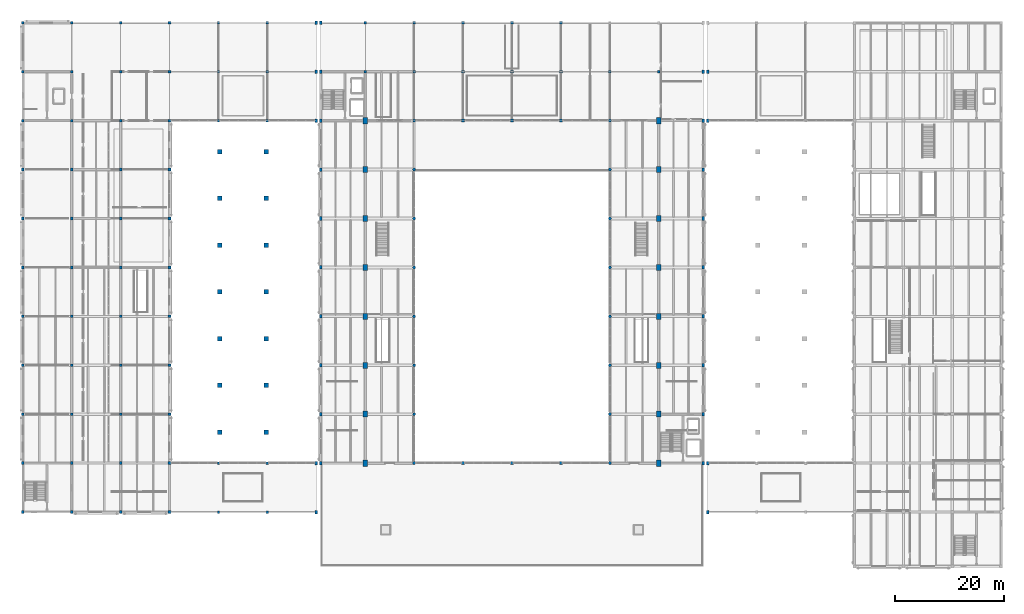
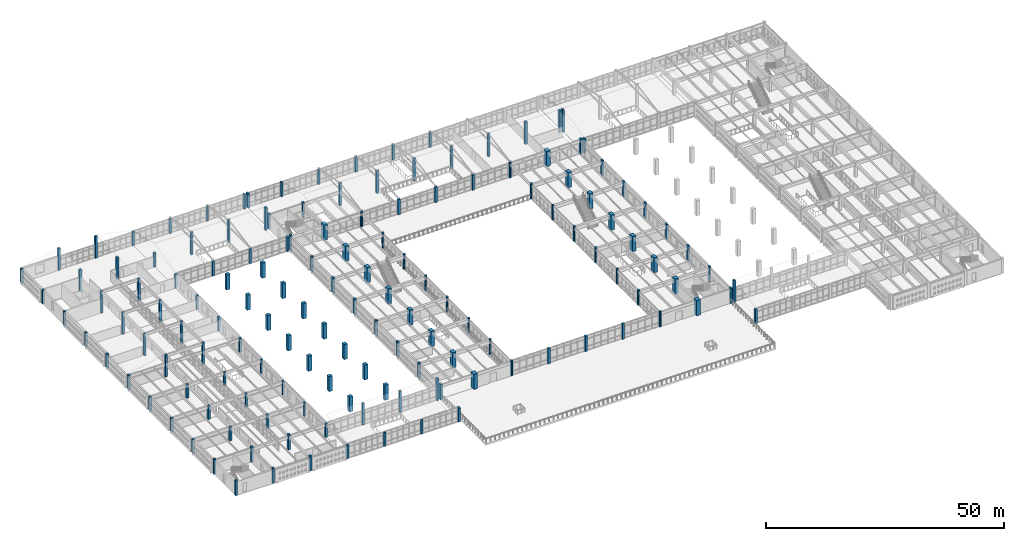
# One storey, part 1 of 156: 146 columns.
"""IFC4 building model written with IfcOpenShell, lengths in metres."""

from ifc_helpers import new_model, si_unit, direction, frame, origin, origin_2d, place, context, subcontext, project, spatial, rectangle, circle, extrude, material, material_profile, profile_set, type_object, element, save


model = new_model("IFC4")

# Units and contexts
model_context = context("Model", 3, precision=1e-05, world=origin(), true_north=direction((0.0, 1.0)))
body_context = subcontext(model_context, "Body", "Model", "MODEL_VIEW")
ifc_project = project(units=[si_unit("LENGTHUNIT", "METRE"), si_unit("AREAUNIT", "SQUARE_METRE"), si_unit("VOLUMEUNIT", "CUBIC_METRE"), si_unit("PLANEANGLEUNIT", "RADIAN"), si_unit("MASSUNIT", "GRAM", prefix="KILO")], contexts=[model_context])

# Site, building, storey
site_placement = place(None, origin())
site = spatial("IfcSite", under=ifc_project, at=site_placement, CompositionType="ELEMENT")
building_placement = place(site_placement, origin())
building = spatial("IfcBuilding", under=site, at=building_placement, Name="Ornek Quay Market", CompositionType="ELEMENT")
storey_placement = place(building_placement, frame((0.0, 0.0, 4.5)))
storey = spatial("IfcBuildingStorey", under=building, at=storey_placement, Name="L01", CompositionType="ELEMENT", Elevation=4.5)

# Columns
ifc_material_1 = material(Name="Concrete C45/55", Category="concrete")
ifc_material_profile_1 = material_profile(ifc_material_1, rectangle(XDim=0.85009765625, YDim=1.10009765625, at=origin_2d()), Name="RC 850x1100", Category="concrete")
ifc_profile_set_1 = profile_set([ifc_material_profile_1], Name="Concrete C45/55")
column_type_1 = type_object("IfcColumnType", Name="COL-ARCH-850x1100", PredefinedType="COLUMN", material=ifc_profile_set_1)
for number, where, z_axis, x_axis, name in (
    (1, (63.0, 38.0, 0.0), (0.0, 0.0, 1.0), (1.0, 0.0, 0.0), "Column C-AR2-002"),
    (2, (63.0, 47.0, 0.0), (0.0, 0.0, 1.0), (1.0, 0.0, 0.0), "Column C-AR2-005"),
    (3, (63.0, 56.0, 0.0), (0.0, 0.0, 1.0), (1.0, 0.0, 0.0), "Column C-AR2-008"),
    (4, (63.0, 65.0, 0.0), (0.0, 0.0, 1.0), (1.0, 0.0, 0.0), "Column C-AR2-011"),
    (5, (63.0, 74.0, 0.0), (0.0, 0.0, 1.0), (1.0, 0.0, 0.0), "Column C-AR2-014"),
    (6, (63.0, 83.0, 0.0), (0.0, 0.0, 1.0), (1.0, 0.0, 0.0), "Column C-AR2-017"),
    (7, (117.0, 38.0, 0.0), (0.0, 0.0, 1.0), (1.0, 0.0, 0.0), "Column C-AR2-020"),
    (8, (117.0, 47.0, 0.0), (0.0, 0.0, 1.0), (1.0, 0.0, 0.0), "Column C-AR2-023"),
    (9, (117.0, 56.0, 0.0), (0.0, 0.0, 1.0), (1.0, 0.0, 0.0), "Column C-AR2-026"),
    (10, (117.0, 65.0, 0.0), (0.0, 0.0, 1.0), (1.0, 0.0, 0.0), "Column C-AR2-029"),
    (11, (117.0, 74.0, 0.0), (0.0, 0.0, 1.0), (1.0, 0.0, 0.0), "Column C-AR2-032"),
    (12, (117.0, 83.0, 0.0), (0.0, 0.0, 1.0), (1.0, 0.0, 0.0), "Column C-AR2-035"),
):
    element("IfcColumn", number, at=place(storey_placement, frame(where, z_axis=z_axis, x_axis=x_axis)), inside=storey, type_object=column_type_1, Name=name, PredefinedType="COLUMN", context=body_context, shape_type="SweptSolid", body=[
        extrude(rectangle(XDim=0.85009765625, YDim=1.10009765625, at=origin_2d()), origin(), (0.0, 0.0, 1.0), 3.89990234375),
    ])
ifc_material_profile_2 = material_profile(ifc_material_1, rectangle(XDim=0.89990234375, YDim=1.199951171875, at=origin_2d()), Name="RC 900x1200", Category="concrete")
ifc_profile_set_2 = profile_set([ifc_material_profile_2], Name="Concrete C45/55")
column_type_2 = type_object("IfcColumnType", Name="COL-ARCH-900x1200", PredefinedType="COLUMN", material=ifc_profile_set_2)
for number, where, z_axis, x_axis, name in (
    (13, (63.0, 29.0, 0.0), (0.0, 0.0, 1.0), (1.0, 0.0, 0.0), "Column C-AR1-003"),
    (14, (63.0, 92.0, 0.0), (0.0, 0.0, 1.0), (1.0, 0.0, 0.0), "Column C-AR1-013"),
    (15, (117.0, 29.0, 0.0), (0.0, 0.0, 1.0), (1.0, 0.0, 0.0), "Column C-AR1-017"),
    (16, (117.0, 92.0, 0.0), (0.0, 0.0, 1.0), (1.0, 0.0, 0.0), "Column C-AR1-027"),
):
    element("IfcColumn", number, at=place(storey_placement, frame(where, z_axis=z_axis, x_axis=x_axis)), inside=storey, type_object=column_type_2, Name=name, PredefinedType="COLUMN", context=body_context, shape_type="SweptSolid", body=[
        extrude(rectangle(XDim=0.89990234375, YDim=1.199951171875, at=origin_2d()), origin(), (0.0, 0.0, 1.0), 3.89990234375),
    ])
ifc_material_2 = material(Name="Concrete C40/50", Category="concrete")
ifc_material_profile_3 = material_profile(ifc_material_2, circle(Radius=0.27490234375, at=origin_2d()), Name="RC D550", Category="concrete")
ifc_profile_set_3 = profile_set([ifc_material_profile_3], Name="Concrete C40/50")
column_type_3 = type_object("IfcColumnType", Name="COL-GAL-D550", PredefinedType="COLUMN", material=ifc_profile_set_3)
for number, where, z_axis, x_axis, name in (
    (17, (72.0, 29.0, 0.0), (0.0, 0.0, 1.0), (1.0, 0.0, 0.0), "Column C-GD1-002"),
    (18, (72.0, 38.0, 0.0), (0.0, 0.0, 1.0), (1.0, 0.0, 0.0), "Column C-GD1-004"),
    (19, (72.0, 47.0, 0.0), (0.0, 0.0, 1.0), (1.0, 0.0, 0.0), "Column C-GD1-006"),
    (20, (72.0, 56.0, 0.0), (0.0, 0.0, 1.0), (1.0, 0.0, 0.0), "Column C-GD1-008"),
    (21, (72.0, 65.0, 0.0), (0.0, 0.0, 1.0), (1.0, 0.0, 0.0), "Column C-GD1-010"),
    (22, (72.0, 74.0, 0.0), (0.0, 0.0, 1.0), (1.0, 0.0, 0.0), "Column C-GD1-012"),
    (23, (72.0, 83.0, 0.0), (0.0, 0.0, 1.0), (1.0, 0.0, 0.0), "Column C-GD1-014"),
    (24, (72.0, 92.0, 0.0), (0.0, 0.0, 1.0), (1.0, 0.0, 0.0), "Column C-GD1-016"),
    (25, (108.0, 29.0, 0.0), (0.0, 0.0, 1.0), (1.0, 0.0, 0.0), "Column C-GD1-018"),
    (26, (108.0, 38.0, 0.0), (0.0, 0.0, 1.0), (1.0, 0.0, 0.0), "Column C-GD1-020"),
    (27, (108.0, 47.0, 0.0), (0.0, 0.0, 1.0), (1.0, 0.0, 0.0), "Column C-GD1-022"),
    (28, (108.0, 56.0, 0.0), (0.0, 0.0, 1.0), (1.0, 0.0, 0.0), "Column C-GD1-024"),
    (29, (108.0, 65.0, 0.0), (0.0, 0.0, 1.0), (1.0, 0.0, 0.0), "Column C-GD1-026"),
    (30, (108.0, 74.0, 0.0), (0.0, 0.0, 1.0), (1.0, 0.0, 0.0), "Column C-GD1-028"),
    (31, (108.0, 83.0, 0.0), (0.0, 0.0, 1.0), (1.0, 0.0, 0.0), "Column C-GD1-030"),
    (32, (108.0, 92.0, 0.0), (0.0, 0.0, 1.0), (1.0, 0.0, 0.0), "Column C-GD1-032"),
):
    element("IfcColumn", number, at=place(storey_placement, frame(where, z_axis=z_axis, x_axis=x_axis)), inside=storey, type_object=column_type_3, Name=name, PredefinedType="COLUMN", context=body_context, shape_type="SweptSolid", body=[
        extrude(circle(Radius=0.27490234375, at=origin_2d()), origin(), (0.0, 0.0, 1.0), 3.89990234375),
    ])
ifc_material_profile_4 = material_profile(ifc_material_2, rectangle(XDim=0.449951171875, YDim=0.64990234375, at=origin_2d()), Name="RC 450x650", Category="concrete")
ifc_profile_set_4 = profile_set([ifc_material_profile_4], Name="Concrete C40/50")
column_type_4 = type_object("IfcColumnType", Name="COL-MJ-450x650", PredefinedType="COLUMN", material=ifc_profile_set_4)
column_1_placement = place(storey_placement, frame((54.0, 20.0, 0.0), z_axis=(0.0, 0.0, 1.0), x_axis=(1.0, 0.0, 0.0)))
element("IfcColumn", 33, at=column_1_placement, inside=storey, type_object=column_type_4, Name="Column C-MJ2-001", PredefinedType="COLUMN", context=body_context, shape_type="SweptSolid", body=[
    extrude(rectangle(XDim=0.449951171875, YDim=0.64990234375, at=origin_2d()), origin(), (0.0, 0.0, 1.0), 3.590087890625),
])
column_2_placement = place(storey_placement, frame((54.0, 29.0, 0.0), z_axis=(0.0, 0.0, 1.0), x_axis=(1.0, 0.0, 0.0)))
element("IfcColumn", 34, at=column_2_placement, inside=storey, type_object=column_type_4, Name="Column C-MJ2-002", PredefinedType="COLUMN", context=body_context, shape_type="SweptSolid", body=[
    extrude(rectangle(XDim=0.449951171875, YDim=0.64990234375, at=origin_2d()), origin(), (0.0, 0.0, 1.0), 5.590087890625),
])
column_3_placement = place(storey_placement, frame((54.0, 92.0, 0.0), z_axis=(0.0, 0.0, 1.0), x_axis=(1.0, 0.0, 0.0)))
element("IfcColumn", 35, at=column_3_placement, inside=storey, type_object=column_type_4, Name="Column C-MJ2-003", PredefinedType="COLUMN", context=body_context, shape_type="SweptSolid", body=[
    extrude(rectangle(XDim=0.449951171875, YDim=0.64990234375, at=origin_2d()), origin(), (0.0, 0.0, 1.0), 3.7099609375),
])
column_4_placement = place(storey_placement, frame((54.0, 101.0, 0.0), z_axis=(0.0, 0.0, 1.0), x_axis=(1.0, 0.0, 0.0)))
element("IfcColumn", 36, at=column_4_placement, inside=storey, type_object=column_type_4, Name="Column C-MJ2-004", PredefinedType="COLUMN", context=body_context, shape_type="SweptSolid", body=[
    extrude(rectangle(XDim=0.449951171875, YDim=0.64990234375, at=origin_2d()), origin(), (0.0, 0.0, 1.0), 5.7099609375),
])
column_5_placement = place(storey_placement, frame((54.0, 110.0, 0.0), z_axis=(0.0, 0.0, 1.0), x_axis=(1.0, 0.0, 0.0)))
element("IfcColumn", 37, at=column_5_placement, inside=storey, type_object=column_type_4, Name="Column C-MJ2-005", PredefinedType="COLUMN", context=body_context, shape_type="SweptSolid", body=[
    extrude(rectangle(XDim=0.449951171875, YDim=0.64990234375, at=origin_2d()), origin(), (0.0, 0.0, 1.0), 3.7099609375),
])
for number, where, z_axis, x_axis, name in (
    (38, (54.800048828125, 29.0, 0.0), (0.0, 0.0, 1.0), (1.0, 0.0, 0.0), "Column C-MJ2-007"),
    (39, (54.800048828125, 38.0, 0.0), (0.0, 0.0, 1.0), (1.0, 0.0, 0.0), "Column C-MJ2-009"),
    (40, (54.800048828125, 47.0, 0.0), (0.0, 0.0, 1.0), (1.0, 0.0, 0.0), "Column C-MJ2-011"),
    (41, (54.800048828125, 56.0, 0.0), (0.0, 0.0, 1.0), (1.0, 0.0, 0.0), "Column C-MJ2-013"),
    (42, (54.800048828125, 65.0, 0.0), (0.0, 0.0, 1.0), (1.0, 0.0, 0.0), "Column C-MJ2-015"),
    (43, (54.800048828125, 74.0, 0.0), (0.0, 0.0, 1.0), (1.0, 0.0, 0.0), "Column C-MJ2-017"),
    (44, (54.800048828125, 83.0, 0.0), (0.0, 0.0, 1.0), (1.0, 0.0, 0.0), "Column C-MJ2-019"),
    (45, (54.800048828125, 92.0, 0.0), (0.0, 0.0, 1.0), (1.0, 0.0, 0.0), "Column C-MJ2-021"),
    (46, (54.800048828125, 101.0, 0.0), (0.0, 0.0, 1.0), (1.0, 0.0, 0.0), "Column C-MJ2-023"),
):
    element("IfcColumn", number, at=place(storey_placement, frame(where, z_axis=z_axis, x_axis=x_axis)), inside=storey, type_object=column_type_4, Name=name, PredefinedType="COLUMN", context=body_context, shape_type="SweptSolid", body=[
        extrude(rectangle(XDim=0.449951171875, YDim=0.64990234375, at=origin_2d()), origin(), (0.0, 0.0, 1.0), 3.89990234375),
    ])
column_6_placement = place(storey_placement, frame((54.800048828125, 110.0, 0.0), z_axis=(0.0, 0.0, 1.0), x_axis=(1.0, 0.0, 0.0)))
element("IfcColumn", 47, at=column_6_placement, inside=storey, type_object=column_type_4, Name="Column C-MJ2-024", PredefinedType="COLUMN", context=body_context, shape_type="SweptSolid", body=[
    extrude(rectangle(XDim=0.449951171875, YDim=0.64990234375, at=origin_2d()), origin(), (0.0, 0.0, 1.0), 3.7099609375),
])
for number, where, z_axis, x_axis, name in (
    (48, (125.199951171875, 29.0, 0.0), (0.0, 0.0, 1.0), (1.0, 0.0, 0.0), "Column C-MJ2-026"),
    (49, (125.199951171875, 38.0, 0.0), (0.0, 0.0, 1.0), (1.0, 0.0, 0.0), "Column C-MJ2-028"),
    (50, (125.199951171875, 47.0, 0.0), (0.0, 0.0, 1.0), (1.0, 0.0, 0.0), "Column C-MJ2-030"),
    (51, (125.199951171875, 56.0, 0.0), (0.0, 0.0, 1.0), (1.0, 0.0, 0.0), "Column C-MJ2-032"),
    (52, (125.199951171875, 65.0, 0.0), (0.0, 0.0, 1.0), (1.0, 0.0, 0.0), "Column C-MJ2-034"),
    (53, (125.199951171875, 74.0, 0.0), (0.0, 0.0, 1.0), (1.0, 0.0, 0.0), "Column C-MJ2-036"),
    (54, (125.199951171875, 83.0, 0.0), (0.0, 0.0, 1.0), (1.0, 0.0, 0.0), "Column C-MJ2-038"),
    (55, (125.199951171875, 92.0, 0.0), (0.0, 0.0, 1.0), (1.0, 0.0, 0.0), "Column C-MJ2-040"),
):
    element("IfcColumn", number, at=place(storey_placement, frame(where, z_axis=z_axis, x_axis=x_axis)), inside=storey, type_object=column_type_4, Name=name, PredefinedType="COLUMN", context=body_context, shape_type="SweptSolid", body=[
        extrude(rectangle(XDim=0.449951171875, YDim=0.64990234375, at=origin_2d()), origin(), (0.0, 0.0, 1.0), 3.89990234375),
    ])
column_7_placement = place(storey_placement, frame((125.199951171875, 101.0, 0.0), z_axis=(0.0, 0.0, 1.0), x_axis=(1.0, 0.0, 0.0)))
element("IfcColumn", 56, at=column_7_placement, inside=storey, type_object=column_type_4, Name="Column C-MJ2-042", PredefinedType="COLUMN", context=body_context, shape_type="SweptSolid", body=[
    extrude(rectangle(XDim=0.449951171875, YDim=0.64990234375, at=origin_2d()), origin(), (0.0, 0.0, 1.0), 5.7099609375),
])
column_8_placement = place(storey_placement, frame((126.0, 20.0, 0.0), z_axis=(0.0, 0.0, 1.0), x_axis=(1.0, 0.0, 0.0)))
element("IfcColumn", 57, at=column_8_placement, inside=storey, type_object=column_type_4, Name="Column C-MJ2-045", PredefinedType="COLUMN", context=body_context, shape_type="SweptSolid", body=[
    extrude(rectangle(XDim=0.449951171875, YDim=0.64990234375, at=origin_2d()), origin(), (0.0, 0.0, 1.0), 3.590087890625),
])
column_9_placement = place(storey_placement, frame((126.0, 29.0, 0.0), z_axis=(0.0, 0.0, 1.0), x_axis=(1.0, 0.0, 0.0)))
element("IfcColumn", 58, at=column_9_placement, inside=storey, type_object=column_type_4, Name="Column C-MJ2-046", PredefinedType="COLUMN", context=body_context, shape_type="SweptSolid", body=[
    extrude(rectangle(XDim=0.449951171875, YDim=0.64990234375, at=origin_2d()), origin(), (0.0, 0.0, 1.0), 5.590087890625),
])
column_10_placement = place(storey_placement, frame((126.0, 92.0, 0.0), z_axis=(0.0, 0.0, 1.0), x_axis=(1.0, 0.0, 0.0)))
element("IfcColumn", 59, at=column_10_placement, inside=storey, type_object=column_type_4, Name="Column C-MJ2-047", PredefinedType="COLUMN", context=body_context, shape_type="SweptSolid", body=[
    extrude(rectangle(XDim=0.449951171875, YDim=0.64990234375, at=origin_2d()), origin(), (0.0, 0.0, 1.0), 3.7099609375),
])
column_11_placement = place(storey_placement, frame((126.0, 101.0, 0.0), z_axis=(0.0, 0.0, 1.0), x_axis=(1.0, 0.0, 0.0)))
element("IfcColumn", 60, at=column_11_placement, inside=storey, type_object=column_type_4, Name="Column C-MJ2-048", PredefinedType="COLUMN", context=body_context, shape_type="SweptSolid", body=[
    extrude(rectangle(XDim=0.449951171875, YDim=0.64990234375, at=origin_2d()), origin(), (0.0, 0.0, 1.0), 5.7099609375),
])
ifc_material_profile_5 = material_profile(ifc_material_2, rectangle(XDim=0.449951171875, YDim=0.449951171875, at=origin_2d()), Name="RC 450x450", Category="concrete")
ifc_profile_set_5 = profile_set([ifc_material_profile_5], Name="Concrete C40/50")
column_type_5 = type_object("IfcColumnType", Name="COL-RC-450x450", PredefinedType="COLUMN", material=ifc_profile_set_5)
column_12_placement = place(storey_placement, frame((36.0, 20.0, 0.0), z_axis=(0.0, 0.0, 1.0), x_axis=(1.0, 0.0, 0.0)))
element("IfcColumn", 61, at=column_12_placement, inside=storey, type_object=column_type_5, Name="Column C-45-007", PredefinedType="COLUMN", context=body_context, shape_type="SweptSolid", body=[
    extrude(rectangle(XDim=0.449951171875, YDim=0.449951171875, at=origin_2d()), origin(), (0.0, 0.0, 1.0), 3.590087890625),
])
column_13_placement = place(storey_placement, frame((36.0, 29.0, 0.0), z_axis=(0.0, 0.0, 1.0), x_axis=(1.0, 0.0, 0.0)))
element("IfcColumn", 62, at=column_13_placement, inside=storey, type_object=column_type_5, Name="Column C-45-008", PredefinedType="COLUMN", context=body_context, shape_type="SweptSolid", body=[
    extrude(rectangle(XDim=0.449951171875, YDim=0.449951171875, at=origin_2d()), origin(), (0.0, 0.0, 1.0), 5.590087890625),
])
column_14_placement = place(storey_placement, frame((36.0, 92.0, 0.0), z_axis=(0.0, 0.0, 1.0), x_axis=(1.0, 0.0, 0.0)))
element("IfcColumn", 63, at=column_14_placement, inside=storey, type_object=column_type_5, Name="Column C-45-009", PredefinedType="COLUMN", context=body_context, shape_type="SweptSolid", body=[
    extrude(rectangle(XDim=0.449951171875, YDim=0.449951171875, at=origin_2d()), origin(), (0.0, 0.0, 1.0), 3.7099609375),
])
column_15_placement = place(storey_placement, frame((36.0, 101.0, 0.0), z_axis=(0.0, 0.0, 1.0), x_axis=(1.0, 0.0, 0.0)))
element("IfcColumn", 64, at=column_15_placement, inside=storey, type_object=column_type_5, Name="Column C-45-010", PredefinedType="COLUMN", context=body_context, shape_type="SweptSolid", body=[
    extrude(rectangle(XDim=0.449951171875, YDim=0.449951171875, at=origin_2d()), origin(), (0.0, 0.0, 1.0), 5.7099609375),
])
column_16_placement = place(storey_placement, frame((36.0, 110.0, 0.0), z_axis=(0.0, 0.0, 1.0), x_axis=(1.0, 0.0, 0.0)))
element("IfcColumn", 65, at=column_16_placement, inside=storey, type_object=column_type_5, Name="Column C-45-011", PredefinedType="COLUMN", context=body_context, shape_type="SweptSolid", body=[
    extrude(rectangle(XDim=0.449951171875, YDim=0.449951171875, at=origin_2d()), origin(), (0.0, 0.0, 1.0), 3.7099609375),
])
column_17_placement = place(storey_placement, frame((45.0, 20.0, 0.0), z_axis=(0.0, 0.0, 1.0), x_axis=(1.0, 0.0, 0.0)))
element("IfcColumn", 66, at=column_17_placement, inside=storey, type_object=column_type_5, Name="Column C-45-012", PredefinedType="COLUMN", context=body_context, shape_type="SweptSolid", body=[
    extrude(rectangle(XDim=0.449951171875, YDim=0.449951171875, at=origin_2d()), origin(), (0.0, 0.0, 1.0), 3.590087890625),
])
column_18_placement = place(storey_placement, frame((45.0, 29.0, 0.0), z_axis=(0.0, 0.0, 1.0), x_axis=(1.0, 0.0, 0.0)))
element("IfcColumn", 67, at=column_18_placement, inside=storey, type_object=column_type_5, Name="Column C-45-013", PredefinedType="COLUMN", context=body_context, shape_type="SweptSolid", body=[
    extrude(rectangle(XDim=0.449951171875, YDim=0.449951171875, at=origin_2d()), origin(), (0.0, 0.0, 1.0), 5.590087890625),
])
column_19_placement = place(storey_placement, frame((45.0, 92.0, 0.0), z_axis=(0.0, 0.0, 1.0), x_axis=(1.0, 0.0, 0.0)))
element("IfcColumn", 68, at=column_19_placement, inside=storey, type_object=column_type_5, Name="Column C-45-014", PredefinedType="COLUMN", context=body_context, shape_type="SweptSolid", body=[
    extrude(rectangle(XDim=0.449951171875, YDim=0.449951171875, at=origin_2d()), origin(), (0.0, 0.0, 1.0), 3.7099609375),
])
column_20_placement = place(storey_placement, frame((45.0, 101.0, 0.0), z_axis=(0.0, 0.0, 1.0), x_axis=(1.0, 0.0, 0.0)))
element("IfcColumn", 69, at=column_20_placement, inside=storey, type_object=column_type_5, Name="Column C-45-015", PredefinedType="COLUMN", context=body_context, shape_type="SweptSolid", body=[
    extrude(rectangle(XDim=0.449951171875, YDim=0.449951171875, at=origin_2d()), origin(), (0.0, 0.0, 1.0), 5.7099609375),
])
column_21_placement = place(storey_placement, frame((45.0, 110.0, 0.0), z_axis=(0.0, 0.0, 1.0), x_axis=(1.0, 0.0, 0.0)))
element("IfcColumn", 70, at=column_21_placement, inside=storey, type_object=column_type_5, Name="Column C-45-016", PredefinedType="COLUMN", context=body_context, shape_type="SweptSolid", body=[
    extrude(rectangle(XDim=0.449951171875, YDim=0.449951171875, at=origin_2d()), origin(), (0.0, 0.0, 1.0), 3.7099609375),
])
ifc_material_profile_6 = material_profile(ifc_material_2, rectangle(XDim=0.5, YDim=0.5, at=origin_2d()), Name="RC 500x500", Category="concrete")
ifc_profile_set_6 = profile_set([ifc_material_profile_6], Name="Concrete C40/50")
column_type_6 = type_object("IfcColumnType", Name="COL-RC-500x500", PredefinedType="COLUMN", material=ifc_profile_set_6)
for number, where, z_axis, x_axis, name in (
    (71, (0.0, 20.0, 0.0), (0.0, 0.0, 1.0), (1.0, 0.0, 0.0), "Column C-50-001"),
    (72, (0.0, 29.0, 0.0), (0.0, 0.0, 1.0), (1.0, 0.0, 0.0), "Column C-50-002"),
):
    element("IfcColumn", number, at=place(storey_placement, frame(where, z_axis=z_axis, x_axis=x_axis)), inside=storey, type_object=column_type_6, Name=name, PredefinedType="COLUMN", context=body_context, shape_type="SweptSolid", body=[
        extrude(rectangle(XDim=0.5, YDim=0.5, at=origin_2d()), origin(), (0.0, 0.0, 1.0), 3.89990234375),
    ])
for number, where, z_axis, x_axis, name in (
    (73, (0.0, 38.0, 0.0), (0.0, 0.0, 1.0), (1.0, 0.0, 0.0), "Column C-50-003"),
    (74, (0.0, 47.0, 0.0), (0.0, 0.0, 1.0), (1.0, 0.0, 0.0), "Column C-50-004"),
    (75, (0.0, 56.0, 0.0), (0.0, 0.0, 1.0), (1.0, 0.0, 0.0), "Column C-50-005"),
):
    element("IfcColumn", number, at=place(storey_placement, frame(where, z_axis=z_axis, x_axis=x_axis)), inside=storey, type_object=column_type_6, Name=name, PredefinedType="COLUMN", context=body_context, shape_type="SweptSolid", body=[
        extrude(rectangle(XDim=0.5, YDim=0.5, at=origin_2d()), origin(), (0.0, 0.0, 1.0), 3.47998046875),
    ])
for number, where, z_axis, x_axis, name in (
    (76, (0.0, 65.0, 0.0), (0.0, 0.0, 1.0), (1.0, 0.0, 0.0), "Column C-50-006"),
    (77, (0.0, 74.0, 0.0), (0.0, 0.0, 1.0), (1.0, 0.0, 0.0), "Column C-50-007"),
    (78, (0.0, 83.0, 0.0), (0.0, 0.0, 1.0), (1.0, 0.0, 0.0), "Column C-50-008"),
    (79, (0.0, 92.0, 0.0), (0.0, 0.0, 1.0), (1.0, 0.0, 0.0), "Column C-50-009"),
    (80, (0.0, 101.0, 0.0), (0.0, 0.0, 1.0), (1.0, 0.0, 0.0), "Column C-50-010"),
    (81, (0.0, 110.0, 0.0), (0.0, 0.0, 1.0), (1.0, 0.0, 0.0), "Column C-50-011"),
):
    element("IfcColumn", number, at=place(storey_placement, frame(where, z_axis=z_axis, x_axis=x_axis)), inside=storey, type_object=column_type_6, Name=name, PredefinedType="COLUMN", context=body_context, shape_type="SweptSolid", body=[
        extrude(rectangle(XDim=0.5, YDim=0.5, at=origin_2d()), origin(), (0.0, 0.0, 1.0), 3.590087890625),
    ])
for number, where, z_axis, x_axis, name in (
    (82, (9.0, 20.0, 0.0), (0.0, 0.0, 1.0), (1.0, 0.0, 0.0), "Column C-50-012"),
    (83, (9.0, 29.0, 0.0), (0.0, 0.0, 1.0), (1.0, 0.0, 0.0), "Column C-50-013"),
):
    element("IfcColumn", number, at=place(storey_placement, frame(where, z_axis=z_axis, x_axis=x_axis)), inside=storey, type_object=column_type_6, Name=name, PredefinedType="COLUMN", context=body_context, shape_type="SweptSolid", body=[
        extrude(rectangle(XDim=0.5, YDim=0.5, at=origin_2d()), origin(), (0.0, 0.0, 1.0), 3.89990234375),
    ])
for number, where, z_axis, x_axis, name in (
    (84, (9.0, 38.0, 0.0), (0.0, 0.0, 1.0), (1.0, 0.0, 0.0), "Column C-50-014"),
    (85, (9.0, 47.0, 0.0), (0.0, 0.0, 1.0), (1.0, 0.0, 0.0), "Column C-50-015"),
    (86, (9.0, 56.0, 0.0), (0.0, 0.0, 1.0), (1.0, 0.0, 0.0), "Column C-50-016"),
):
    element("IfcColumn", number, at=place(storey_placement, frame(where, z_axis=z_axis, x_axis=x_axis)), inside=storey, type_object=column_type_6, Name=name, PredefinedType="COLUMN", context=body_context, shape_type="SweptSolid", body=[
        extrude(rectangle(XDim=0.5, YDim=0.5, at=origin_2d()), origin(), (0.0, 0.0, 1.0), 3.47998046875),
    ])
for number, where, z_axis, x_axis, name in (
    (87, (9.0, 65.0, 0.0), (0.0, 0.0, 1.0), (1.0, 0.0, 0.0), "Column C-50-017"),
    (88, (9.0, 74.0, 0.0), (0.0, 0.0, 1.0), (1.0, 0.0, 0.0), "Column C-50-018"),
    (89, (9.0, 83.0, 0.0), (0.0, 0.0, 1.0), (1.0, 0.0, 0.0), "Column C-50-019"),
    (90, (9.0, 92.0, 0.0), (0.0, 0.0, 1.0), (1.0, 0.0, 0.0), "Column C-50-020"),
    (91, (9.0, 101.0, 0.0), (0.0, 0.0, 1.0), (1.0, 0.0, 0.0), "Column C-50-021"),
    (92, (9.0, 110.0, 0.0), (0.0, 0.0, 1.0), (1.0, 0.0, 0.0), "Column C-50-022"),
):
    element("IfcColumn", number, at=place(storey_placement, frame(where, z_axis=z_axis, x_axis=x_axis)), inside=storey, type_object=column_type_6, Name=name, PredefinedType="COLUMN", context=body_context, shape_type="SweptSolid", body=[
        extrude(rectangle(XDim=0.5, YDim=0.5, at=origin_2d()), origin(), (0.0, 0.0, 1.0), 5.590087890625),
    ])
for number, where, z_axis, x_axis, name in (
    (93, (18.0, 20.0, 0.0), (0.0, 0.0, 1.0), (1.0, 0.0, 0.0), "Column C-50-023"),
    (94, (18.0, 29.0, 0.0), (0.0, 0.0, 1.0), (1.0, 0.0, 0.0), "Column C-50-024"),
):
    element("IfcColumn", number, at=place(storey_placement, frame(where, z_axis=z_axis, x_axis=x_axis)), inside=storey, type_object=column_type_6, Name=name, PredefinedType="COLUMN", context=body_context, shape_type="SweptSolid", body=[
        extrude(rectangle(XDim=0.5, YDim=0.5, at=origin_2d()), origin(), (0.0, 0.0, 1.0), 3.89990234375),
    ])
for number, where, z_axis, x_axis, name in (
    (95, (18.0, 38.0, 0.0), (0.0, 0.0, 1.0), (1.0, 0.0, 0.0), "Column C-50-025"),
    (96, (18.0, 47.0, 0.0), (0.0, 0.0, 1.0), (1.0, 0.0, 0.0), "Column C-50-026"),
    (97, (18.0, 56.0, 0.0), (0.0, 0.0, 1.0), (1.0, 0.0, 0.0), "Column C-50-027"),
):
    element("IfcColumn", number, at=place(storey_placement, frame(where, z_axis=z_axis, x_axis=x_axis)), inside=storey, type_object=column_type_6, Name=name, PredefinedType="COLUMN", context=body_context, shape_type="SweptSolid", body=[
        extrude(rectangle(XDim=0.5, YDim=0.5, at=origin_2d()), origin(), (0.0, 0.0, 1.0), 3.47998046875),
    ])
for number, where, z_axis, x_axis, name in (
    (98, (18.0, 65.0, 0.0), (0.0, 0.0, 1.0), (1.0, 0.0, 0.0), "Column C-50-028"),
    (99, (18.0, 74.0, 0.0), (0.0, 0.0, 1.0), (1.0, 0.0, 0.0), "Column C-50-029"),
    (100, (18.0, 83.0, 0.0), (0.0, 0.0, 1.0), (1.0, 0.0, 0.0), "Column C-50-030"),
    (101, (18.0, 92.0, 0.0), (0.0, 0.0, 1.0), (1.0, 0.0, 0.0), "Column C-50-031"),
    (102, (18.0, 101.0, 0.0), (0.0, 0.0, 1.0), (1.0, 0.0, 0.0), "Column C-50-032"),
    (103, (18.0, 110.0, 0.0), (0.0, 0.0, 1.0), (1.0, 0.0, 0.0), "Column C-50-033"),
):
    element("IfcColumn", number, at=place(storey_placement, frame(where, z_axis=z_axis, x_axis=x_axis)), inside=storey, type_object=column_type_6, Name=name, PredefinedType="COLUMN", context=body_context, shape_type="SweptSolid", body=[
        extrude(rectangle(XDim=0.5, YDim=0.5, at=origin_2d()), origin(), (0.0, 0.0, 1.0), 5.590087890625),
    ])
for number, where, z_axis, x_axis, name in (
    (104, (27.0, 20.0, 0.0), (0.0, 0.0, 1.0), (1.0, 0.0, 0.0), "Column C-50-034"),
    (105, (27.0, 29.0, 0.0), (0.0, 0.0, 1.0), (1.0, 0.0, 0.0), "Column C-50-035"),
    (106, (27.0, 38.0, 0.0), (0.0, 0.0, 1.0), (1.0, 0.0, 0.0), "Column C-50-036"),
    (107, (27.0, 47.0, 0.0), (0.0, 0.0, 1.0), (1.0, 0.0, 0.0), "Column C-50-037"),
    (108, (27.0, 56.0, 0.0), (0.0, 0.0, 1.0), (1.0, 0.0, 0.0), "Column C-50-038"),
):
    element("IfcColumn", number, at=place(storey_placement, frame(where, z_axis=z_axis, x_axis=x_axis)), inside=storey, type_object=column_type_6, Name=name, PredefinedType="COLUMN", context=body_context, shape_type="SweptSolid", body=[
        extrude(rectangle(XDim=0.5, YDim=0.5, at=origin_2d()), origin(), (0.0, 0.0, 1.0), 3.47998046875),
    ])
for number, where, z_axis, x_axis, name in (
    (109, (27.0, 65.0, 0.0), (0.0, 0.0, 1.0), (1.0, 0.0, 0.0), "Column C-50-039"),
    (110, (27.0, 74.0, 0.0), (0.0, 0.0, 1.0), (1.0, 0.0, 0.0), "Column C-50-040"),
    (111, (27.0, 83.0, 0.0), (0.0, 0.0, 1.0), (1.0, 0.0, 0.0), "Column C-50-041"),
    (112, (27.0, 92.0, 0.0), (0.0, 0.0, 1.0), (1.0, 0.0, 0.0), "Column C-50-042"),
    (113, (27.0, 101.0, 0.0), (0.0, 0.0, 1.0), (1.0, 0.0, 0.0), "Column C-50-043"),
    (114, (27.0, 110.0, 0.0), (0.0, 0.0, 1.0), (1.0, 0.0, 0.0), "Column C-50-044"),
):
    element("IfcColumn", number, at=place(storey_placement, frame(where, z_axis=z_axis, x_axis=x_axis)), inside=storey, type_object=column_type_6, Name=name, PredefinedType="COLUMN", context=body_context, shape_type="SweptSolid", body=[
        extrude(rectangle(XDim=0.5, YDim=0.5, at=origin_2d()), origin(), (0.0, 0.0, 1.0), 3.590087890625),
    ])
column_22_placement = place(storey_placement, frame((63.0, 101.0, 0.0), z_axis=(0.0, 0.0, 1.0), x_axis=(1.0, 0.0, 0.0)))
element("IfcColumn", 115, at=column_22_placement, inside=storey, type_object=column_type_6, Name="Column C-50-051", PredefinedType="COLUMN", context=body_context, shape_type="SweptSolid", body=[
    extrude(rectangle(XDim=0.5, YDim=0.5, at=origin_2d()), origin(), (0.0, 0.0, 1.0), 3.89990234375),
])
column_23_placement = place(storey_placement, frame((63.0, 110.0, 0.0), z_axis=(0.0, 0.0, 1.0), x_axis=(1.0, 0.0, 0.0)))
element("IfcColumn", 116, at=column_23_placement, inside=storey, type_object=column_type_6, Name="Column C-50-052", PredefinedType="COLUMN", context=body_context, shape_type="SweptSolid", body=[
    extrude(rectangle(XDim=0.5, YDim=0.5, at=origin_2d()), origin(), (0.0, 0.0, 1.0), 3.7099609375),
])
column_24_placement = place(storey_placement, frame((72.0, 101.0, 0.0), z_axis=(0.0, 0.0, 1.0), x_axis=(1.0, 0.0, 0.0)))
element("IfcColumn", 117, at=column_24_placement, inside=storey, type_object=column_type_6, Name="Column C-50-053", PredefinedType="COLUMN", context=body_context, shape_type="SweptSolid", body=[
    extrude(rectangle(XDim=0.5, YDim=0.5, at=origin_2d()), origin(), (0.0, 0.0, 1.0), 5.7099609375),
])
column_25_placement = place(storey_placement, frame((72.0, 110.0, 0.0), z_axis=(0.0, 0.0, 1.0), x_axis=(1.0, 0.0, 0.0)))
element("IfcColumn", 118, at=column_25_placement, inside=storey, type_object=column_type_6, Name="Column C-50-054", PredefinedType="COLUMN", context=body_context, shape_type="SweptSolid", body=[
    extrude(rectangle(XDim=0.5, YDim=0.5, at=origin_2d()), origin(), (0.0, 0.0, 1.0), 3.7099609375),
])
column_26_placement = place(storey_placement, frame((81.0, 101.0, 0.0), z_axis=(0.0, 0.0, 1.0), x_axis=(1.0, 0.0, 0.0)))
element("IfcColumn", 119, at=column_26_placement, inside=storey, type_object=column_type_6, Name="Column C-50-055", PredefinedType="COLUMN", context=body_context, shape_type="SweptSolid", body=[
    extrude(rectangle(XDim=0.5, YDim=0.5, at=origin_2d()), origin(), (0.0, 0.0, 1.0), 5.7099609375),
])
column_27_placement = place(storey_placement, frame((81.0, 110.0, 0.0), z_axis=(0.0, 0.0, 1.0), x_axis=(1.0, 0.0, 0.0)))
element("IfcColumn", 120, at=column_27_placement, inside=storey, type_object=column_type_6, Name="Column C-50-056", PredefinedType="COLUMN", context=body_context, shape_type="SweptSolid", body=[
    extrude(rectangle(XDim=0.5, YDim=0.5, at=origin_2d()), origin(), (0.0, 0.0, 1.0), 3.7099609375),
])
column_28_placement = place(storey_placement, frame((90.0, 101.0, 0.0), z_axis=(0.0, 0.0, 1.0), x_axis=(1.0, 0.0, 0.0)))
element("IfcColumn", 121, at=column_28_placement, inside=storey, type_object=column_type_6, Name="Column C-50-057", PredefinedType="COLUMN", context=body_context, shape_type="SweptSolid", body=[
    extrude(rectangle(XDim=0.5, YDim=0.5, at=origin_2d()), origin(), (0.0, 0.0, 1.0), 5.7099609375),
])
column_29_placement = place(storey_placement, frame((90.0, 110.0, 0.0), z_axis=(0.0, 0.0, 1.0), x_axis=(1.0, 0.0, 0.0)))
element("IfcColumn", 122, at=column_29_placement, inside=storey, type_object=column_type_6, Name="Column C-50-058", PredefinedType="COLUMN", context=body_context, shape_type="SweptSolid", body=[
    extrude(rectangle(XDim=0.5, YDim=0.5, at=origin_2d()), origin(), (0.0, 0.0, 1.0), 3.7099609375),
])
column_30_placement = place(storey_placement, frame((99.0, 101.0, 0.0), z_axis=(0.0, 0.0, 1.0), x_axis=(1.0, 0.0, 0.0)))
element("IfcColumn", 123, at=column_30_placement, inside=storey, type_object=column_type_6, Name="Column C-50-059", PredefinedType="COLUMN", context=body_context, shape_type="SweptSolid", body=[
    extrude(rectangle(XDim=0.5, YDim=0.5, at=origin_2d()), origin(), (0.0, 0.0, 1.0), 5.7099609375),
])
column_31_placement = place(storey_placement, frame((99.0, 110.0, 0.0), z_axis=(0.0, 0.0, 1.0), x_axis=(1.0, 0.0, 0.0)))
element("IfcColumn", 124, at=column_31_placement, inside=storey, type_object=column_type_6, Name="Column C-50-060", PredefinedType="COLUMN", context=body_context, shape_type="SweptSolid", body=[
    extrude(rectangle(XDim=0.5, YDim=0.5, at=origin_2d()), origin(), (0.0, 0.0, 1.0), 3.7099609375),
])
for number, where, z_axis, x_axis, name in (
    (125, (108.0, 101.0, 0.0), (0.0, 0.0, 1.0), (1.0, 0.0, 0.0), "Column C-50-061"),
    (126, (117.0, 101.0, 0.0), (0.0, 0.0, 1.0), (1.0, 0.0, 0.0), "Column C-50-063"),
):
    element("IfcColumn", number, at=place(storey_placement, frame(where, z_axis=z_axis, x_axis=x_axis)), inside=storey, type_object=column_type_6, Name=name, PredefinedType="COLUMN", context=body_context, shape_type="SweptSolid", body=[
        extrude(rectangle(XDim=0.5, YDim=0.5, at=origin_2d()), origin(), (0.0, 0.0, 1.0), 5.7099609375),
    ])
ifc_material_profile_7 = material_profile(ifc_material_2, rectangle(XDim=0.550048828125, YDim=0.550048828125, at=origin_2d()), Name="RC 550x550", Category="concrete")
ifc_profile_set_7 = profile_set([ifc_material_profile_7], Name="Concrete C40/50")
column_type_7 = type_object("IfcColumnType", Name="COL-RC-550x550", PredefinedType="COLUMN", material=ifc_profile_set_7)
for number, where, z_axis, x_axis, name in (
    (127, (81.0, 29.0, 0.0), (0.0, 0.0, 1.0), (1.0, 0.0, 0.0), "Column C-55-049"),
    (128, (81.0, 92.0, 0.0), (0.0, 0.0, 1.0), (1.0, 0.0, 0.0), "Column C-55-050"),
    (129, (90.0, 29.0, 0.0), (0.0, 0.0, 1.0), (1.0, 0.0, 0.0), "Column C-55-052"),
    (130, (90.0, 92.0, 0.0), (0.0, 0.0, 1.0), (1.0, 0.0, 0.0), "Column C-55-053"),
    (131, (99.0, 29.0, 0.0), (0.0, 0.0, 1.0), (1.0, 0.0, 0.0), "Column C-55-055"),
    (132, (99.0, 92.0, 0.0), (0.0, 0.0, 1.0), (1.0, 0.0, 0.0), "Column C-55-056"),
):
    element("IfcColumn", number, at=place(storey_placement, frame(where, z_axis=z_axis, x_axis=x_axis)), inside=storey, type_object=column_type_7, Name=name, PredefinedType="COLUMN", context=body_context, shape_type="SweptSolid", body=[
        extrude(rectangle(XDim=0.550048828125, YDim=0.550048828125, at=origin_2d()), origin(), (0.0, 0.0, 1.0), 3.89990234375),
    ])
ifc_material_profile_8 = material_profile(ifc_material_2, rectangle(XDim=0.800048828125, YDim=0.800048828125, at=origin_2d()), Name="RC 800x800", Category="concrete")
ifc_profile_set_8 = profile_set([ifc_material_profile_8], Name="Concrete C40/50")
column_type_8 = type_object("IfcColumnType", Name="COL-UMB-800x800", PredefinedType="COLUMN", material=ifc_profile_set_8)
for number, where, z_axis, x_axis, name in (
    (133, (36.199951171875, 34.699951171875, 0.0), (0.0, 0.0, 1.0), (1.0, 0.0, 0.0), "Umbrella column UMB-W01 (L01)"),
    (134, (36.199951171875, 43.300048828125, 0.0), (0.0, 0.0, 1.0), (1.0, 0.0, 0.0), "Umbrella column UMB-W02 (L01)"),
    (135, (36.199951171875, 51.89990234375, 0.0), (0.0, 0.0, 1.0), (1.0, 0.0, 0.0), "Umbrella column UMB-W03 (L01)"),
    (136, (36.199951171875, 60.5, 0.0), (0.0, 0.0, 1.0), (1.0, 0.0, 0.0), "Umbrella column UMB-W04 (L01)"),
    (137, (36.199951171875, 69.10009765625, 0.0), (0.0, 0.0, 1.0), (1.0, 0.0, 0.0), "Umbrella column UMB-W05 (L01)"),
    (138, (36.199951171875, 77.699951171875, 0.0), (0.0, 0.0, 1.0), (1.0, 0.0, 0.0), "Umbrella column UMB-W06 (L01)"),
    (139, (36.199951171875, 86.300048828125, 0.0), (0.0, 0.0, 1.0), (1.0, 0.0, 0.0), "Umbrella column UMB-W07 (L01)"),
    (140, (44.800048828125, 34.699951171875, 0.0), (0.0, 0.0, 1.0), (1.0, 0.0, 0.0), "Umbrella column UMB-W08 (L01)"),
    (141, (44.800048828125, 43.300048828125, 0.0), (0.0, 0.0, 1.0), (1.0, 0.0, 0.0), "Umbrella column UMB-W09 (L01)"),
    (142, (44.800048828125, 51.89990234375, 0.0), (0.0, 0.0, 1.0), (1.0, 0.0, 0.0), "Umbrella column UMB-W10 (L01)"),
    (143, (44.800048828125, 60.5, 0.0), (0.0, 0.0, 1.0), (1.0, 0.0, 0.0), "Umbrella column UMB-W11 (L01)"),
    (144, (44.800048828125, 69.10009765625, 0.0), (0.0, 0.0, 1.0), (1.0, 0.0, 0.0), "Umbrella column UMB-W12 (L01)"),
    (145, (44.800048828125, 77.699951171875, 0.0), (0.0, 0.0, 1.0), (1.0, 0.0, 0.0), "Umbrella column UMB-W13 (L01)"),
    (146, (44.800048828125, 86.300048828125, 0.0), (0.0, 0.0, 1.0), (1.0, 0.0, 0.0), "Umbrella column UMB-W14 (L01)"),
):
    element("IfcColumn", number, at=place(storey_placement, frame(where, z_axis=z_axis, x_axis=x_axis)), inside=storey, type_object=column_type_8, Name=name, PredefinedType="COLUMN", context=body_context, shape_type="SweptSolid", body=[
        extrude(rectangle(XDim=0.800048828125, YDim=0.800048828125, at=origin_2d()), origin(), (0.0, 0.0, 1.0), 3.89990234375),
    ])

save(model, "model.ifc")
